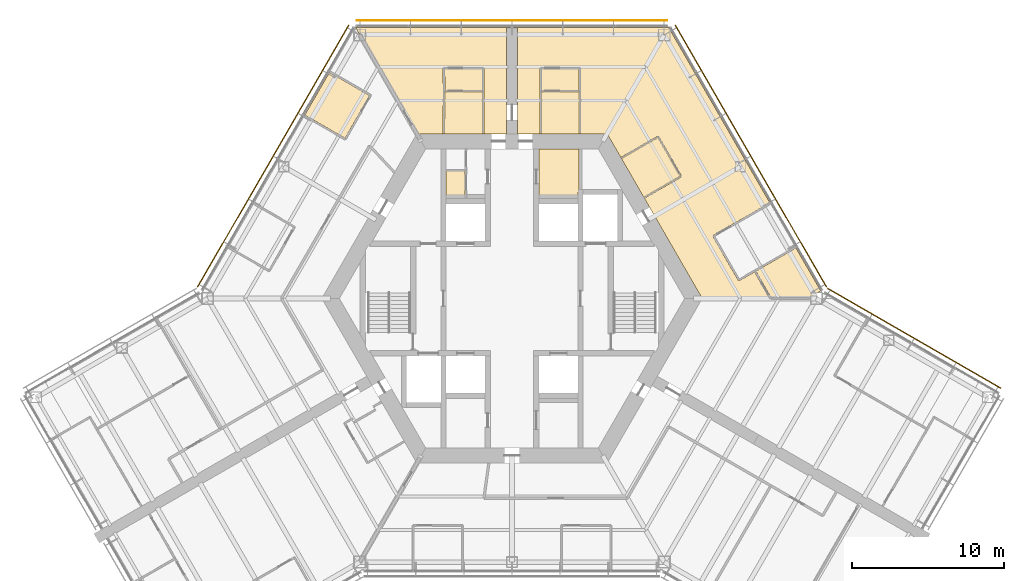
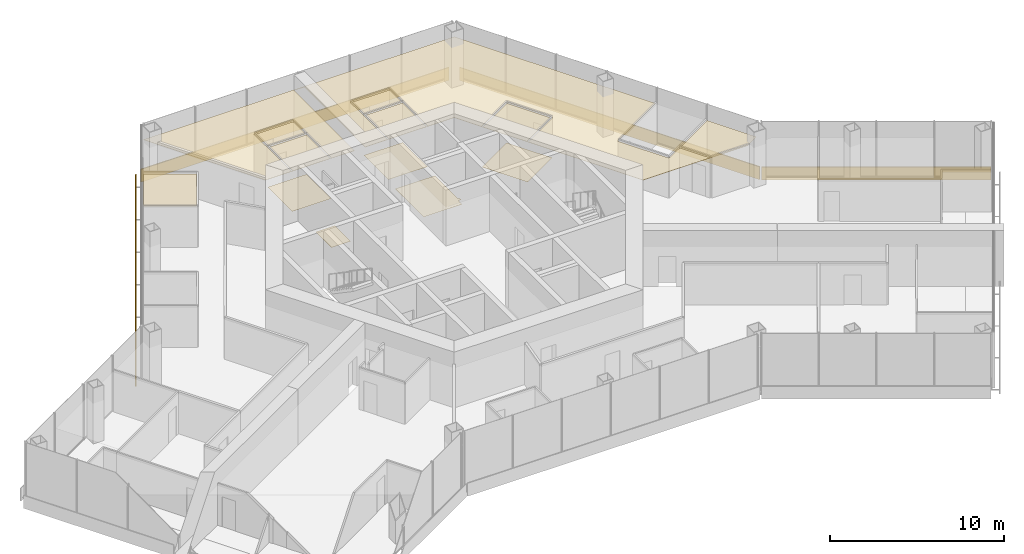
# One storey, part 18 of 18: 14 coverings, 4 shading devices.
"""IFC4 building model written with IfcOpenShell, lengths in metres."""

from ifc_helpers import new_model, si_unit, direction, frame, origin, origin_2d, place, context, subcontext, project, spatial, polyline, rectangle, outline, extrude, material, layer, layer_set, type_object, element, save


model = new_model("IFC4")

# Units and contexts
model_context = context("Model", 3, precision=1e-05, world=origin(), true_north=direction((0.0, 1.0)))
body_context = subcontext(model_context, "Body", "Model", "MODEL_VIEW")
ifc_project = project(units=[si_unit("LENGTHUNIT", "METRE"), si_unit("AREAUNIT", "SQUARE_METRE"), si_unit("VOLUMEUNIT", "CUBIC_METRE"), si_unit("PLANEANGLEUNIT", "RADIAN"), si_unit("MASSUNIT", "GRAM", prefix="KILO")], contexts=[model_context])

# Site, building, storey
site_placement = place(None, origin())
site = spatial("IfcSite", under=ifc_project, at=site_placement, CompositionType="ELEMENT")
building_placement = place(site_placement, origin())
building = spatial("IfcBuilding", under=site, at=building_placement, Name="Kasaneha Research Tower", CompositionType="ELEMENT")
storey_placement = place(building_placement, frame((0.0, 0.0, 179.89990234375)))
storey = spatial("IfcBuildingStorey", under=building, at=storey_placement, Name="L45", CompositionType="ELEMENT", Elevation=179.89990234375)

# Coverings
ifc_material_1 = material(Name="Gypsum ceiling board", Category="gypsum")
ifc_layer_1 = layer(ifc_material_1, 0.02001953125)
ifc_layer_set_1 = layer_set([ifc_layer_1], Name="Suspended ceiling 20")
covering_type_1 = type_object("IfcCoveringType", Name="Suspended ceiling 20", PredefinedType="CEILING", material=ifc_layer_set_1)
covering_1_placement = place(storey_placement, frame((0.0, 0.0, 2.800048828125)))
element("IfcCovering", 1, at=covering_1_placement, inside=storey, type_object=covering_type_1, Name="Ceiling L45-24", PredefinedType="CEILING", context=body_context, shape_type="SweptSolid", body=[
    extrude(outline(polyline([(1.89990234375, 10.824951171875), (1.89990234375, 10.844970703125), (1.949951171875, 10.844970703125), (1.95458984375, 13.570068359375), (4.410400390625, 13.570068359375), (4.4150390625, 10.844970703125), (4.465087890625, 10.844970703125), (4.465087890625, 10.824951171875), (1.89990234375, 10.824951171875)])), origin(), (0.0, 0.0, 1.0), 0.02001953125),
])
covering_2_placement = place(storey_placement, frame((0.0, 0.0, 2.800048828125)))
element("IfcCovering", 2, at=covering_2_placement, inside=storey, type_object=covering_type_1, Name="Ceiling L45-25", PredefinedType="CEILING", context=body_context, shape_type="SweptSolid", body=[
    extrude(outline(polyline([(4.410400390625, 13.669921875), (1.954345703125, 13.669921875), (1.9501953125, 15.074951171875), (4.414794921875, 15.074951171875), (4.410400390625, 13.669921875)])), origin(), (0.0, 0.0, 1.0), 0.02001953125),
])
covering_3_placement = place(storey_placement, frame((0.0, 0.0, 2.800048828125)))
element("IfcCovering", 3, at=covering_3_placement, inside=storey, type_object=covering_type_1, Name="Ceiling L45-26", PredefinedType="CEILING", context=body_context, shape_type="SweptSolid", body=[
    extrude(outline(polyline([(7.1748046875, 9.222900390625), (7.19189453125, 9.23291015625), (7.217041015625, 9.189697265625), (9.581298828125, 10.5546875), (11.03125, 8.043212890625), (8.6669921875, 6.67822265625), (8.69189453125, 6.635009765625), (8.6748046875, 6.625), (7.1748046875, 9.222900390625)])), origin(), (0.0, 0.0, 1.0), 0.02001953125),
])
covering_4_placement = place(storey_placement, frame((0.0, 0.0, 2.800048828125)))
element("IfcCovering", 4, at=covering_4_placement, inside=storey, type_object=covering_type_1, Name="Ceiling L45-28", PredefinedType="CEILING", context=body_context, shape_type="SweptSolid", body=[
    extrude(outline(polyline([(16.997802734375, 0.0), (16.986328125, 0.02001953125), (17.029541015625, 0.044921875), (16.024658203125, 1.79443359375), (18.644775390625, 3.30712890625), (18.619873046875, 3.3505859375), (18.63720703125, 3.360595703125), (20.28759765625, 0.501708984375), (19.41845703125, 0.0), (16.997802734375, 0.0)])), origin(), (0.0, 0.0, 1.0), 0.02001953125),
])
covering_5_placement = place(storey_placement, frame((0.0, 0.0, 2.800048828125)))
element("IfcCovering", 5, at=covering_5_placement, inside=storey, type_object=covering_type_1, Name="Ceiling L45-29", PredefinedType="CEILING", context=body_context, shape_type="SweptSolid", body=[
    extrude(outline(polyline([(8.692138671875, 6.634521484375), (8.717041015625, 6.591552734375), (11.12451171875, 7.981689453125), (11.099853515625, 8.024658203125), (11.10009765625, 8.02490234375), (11.099853515625, 8.025146484375), (11.142822265625, 8.0498046875), (9.642822265625, 10.64794921875), (9.60009765625, 10.623291015625), (9.599853515625, 10.623291015625), (9.599609375, 10.623046875), (9.57470703125, 10.666259765625), (7.1669921875, 9.2763671875), (7.191650390625, 9.2333984375), (7.174560546875, 9.223388671875), (6.249755859375, 10.824951171875), (4.465576171875, 10.824951171875), (4.465576171875, 10.844970703125), (4.514892578125, 10.844970703125), (4.51025390625, 13.625), (4.514892578125, 15.124755859375), (4.465087890625, 15.125), (4.465087890625, 15.12548828125), (4.465087890625, 15.175048828125), (1.89990234375, 15.175048828125), (1.89990234375, 15.125244140625), (1.899658203125, 15.125244140625), (1.899658203125, 15.125), (1.85009765625, 15.124755859375), (1.8544921875, 13.625), (1.85009765625, 10.844970703125), (1.8994140625, 10.844970703125), (1.8994140625, 10.824951171875), (0.35009765625, 10.824951171875), (0.35009765625, 11.72509765625), (0.35009765625, 12.72509765625), (0.35009765625, 17.7705078125), (0.35009765625, 17.7705078125), (0.0, 17.7705078125), (0.0, 17.820556640625), (10.28857421875, 17.820556640625), (16.94677734375, 6.28857421875), (13.222900390625, 4.138427734375), (13.24755859375, 4.095458984375), (13.247314453125, 4.09521484375), (13.247314453125, 4.094970703125), (13.20458984375, 4.0703125), (14.869873046875, 1.185546875), (14.912841796875, 1.210205078125), (14.912841796875, 1.210205078125), (14.913330078125, 1.21044921875), (14.938232421875, 1.167236328125), (15.93798828125, 1.744384765625), (16.93994140625, 0.0), (12.49951171875, 0.0), (8.675048828125, 6.62451171875), (8.692138671875, 6.634521484375)])), origin(), (0.0, 0.0, 1.0), 0.02001953125),
])
covering_6_placement = place(storey_placement, frame((0.0, 0.0, 2.800048828125)))
element("IfcCovering", 6, at=covering_6_placement, inside=storey, type_object=covering_type_1, Name="Ceiling L45-30", PredefinedType="CEILING", context=body_context, shape_type="SweptSolid", body=[
    extrude(outline(polyline([(-4.470947265625, 10.824951171875), (-4.470947265625, 10.844970703125), (-4.4208984375, 10.844970703125), (-4.41650390625, 13.570068359375), (-1.95458984375, 13.570068359375), (-1.949951171875, 10.844970703125), (-1.89990234375, 10.844970703125), (-1.89990234375, 10.824951171875), (-4.470947265625, 10.824951171875)])), origin(), (0.0, 0.0, 1.0), 0.02001953125),
])
covering_7_placement = place(storey_placement, frame((0.0, 0.0, 2.800048828125)))
element("IfcCovering", 7, at=covering_7_placement, inside=storey, type_object=covering_type_1, Name="Ceiling L45-31", PredefinedType="CEILING", context=body_context, shape_type="SweptSolid", body=[
    extrude(outline(polyline([(-1.9501953125, 15.074951171875), (-1.95458984375, 13.669921875), (-4.41650390625, 13.669921875), (-4.4208984375, 15.074951171875), (-1.9501953125, 15.074951171875)])), origin(), (0.0, 0.0, 1.0), 0.02001953125),
])
covering_8_placement = place(storey_placement, frame((0.0, 0.0, 2.800048828125)))
element("IfcCovering", 8, at=covering_8_placement, inside=storey, type_object=covering_type_1, Name="Ceiling L45-32", PredefinedType="CEILING", context=body_context, shape_type="SweptSolid", body=[
    extrude(outline(polyline([(-0.35009765625, 11.72509765625), (-0.35009765625, 10.824951171875), (-1.8994140625, 10.824951171875), (-1.8994140625, 10.844970703125), (-1.85009765625, 10.844970703125), (-1.854736328125, 13.625), (-1.85009765625, 15.124755859375), (-1.89990234375, 15.125), (-1.89990234375, 15.12548828125), (-1.89990234375, 15.175048828125), (-4.470947265625, 15.175048828125), (-4.470947265625, 15.125244140625), (-4.471435546875, 15.125244140625), (-4.471435546875, 15.125), (-4.52099609375, 15.124755859375), (-4.516357421875, 13.625), (-4.52099609375, 10.844970703125), (-4.471435546875, 10.844970703125), (-4.471435546875, 10.824951171875), (-6.249755859375, 10.824951171875), (-10.28857421875, 17.820556640625), (0.0, 17.820556640625), (0.0, 17.7705078125), (-0.35009765625, 17.7705078125), (-0.35009765625, 17.7705078125), (-0.35009765625, 12.72509765625), (-0.35009765625, 11.72509765625)])), origin(), (0.0, 0.0, 1.0), 0.02001953125),
])
covering_9_placement = place(storey_placement, frame((0.0, 0.0, 2.800048828125)))
element("IfcCovering", 9, at=covering_9_placement, inside=storey, type_object=covering_type_1, Name="Ceiling L45-36", PredefinedType="CEILING", context=body_context, shape_type="SweptSolid", body=[
    extrude(outline(polyline([(-12.000244140625, 14.85595703125), (-9.35888671875, 13.330810546875), (-10.974365234375, 10.53271484375), (-13.598388671875, 12.0478515625), (-13.623291015625, 12.004638671875), (-13.640869140625, 12.0146484375), (-12.000244140625, 14.85595703125)])), origin(), (0.0, 0.0, 1.0), 0.02001953125),
])

# Shading devices
ifc_material_2 = material(Name="Terracotta", Category="masonry")
ifc_layer_2 = layer(ifc_material_2, 0.06005859375)
ifc_layer_set_2 = layer_set([ifc_layer_2], Name="Terracotta baguette screen")
shading_device_type = type_object("IfcShadingDeviceType", Name="Terracotta baguette screen", PredefinedType="USERDEFINED", material=ifc_layer_set_2)
shading_device_1_placement = place(storey_placement, frame((26.43359375, -2.617431640625, -0.449951171875), z_axis=(0.0, 0.0, 1.0), x_axis=(-0.866025411464, 0.499999986699, 0.0)))
element("IfcShadingDevice", 10, at=shading_device_1_placement, inside=storey, type_object=shading_device_type, Name="Baguette screen L45 05", ObjectType="TERRACOTTA BAGUETTE SCREEN", PredefinedType="USERDEFINED", context=body_context, shape_type="SweptSolid", body=[
    extrude(rectangle(XDim=13.13916015625, YDim=0.06005859375, at=origin_2d()), origin(), (0.0, 0.0, 1.0), 0.89990234375),
])
shading_device_2_placement = place(storey_placement, frame((15.696044921875, 9.35498046875, -0.449951171875), z_axis=(0.0, 0.0, 1.0), x_axis=(-0.499999979232, 0.866025415775, 0.0)))
element("IfcShadingDevice", 11, at=shading_device_2_placement, inside=storey, type_object=shading_device_type, Name="Baguette screen L45 06", ObjectType="TERRACOTTA BAGUETTE SCREEN", PredefinedType="USERDEFINED", context=body_context, shape_type="SweptSolid", body=[
    extrude(rectangle(XDim=19.8857421875, YDim=0.06005859375, at=origin_2d()), origin(), (0.0, 0.0, 1.0), 0.89990234375),
])
shading_device_3_placement = place(storey_placement, frame((0.0, 18.2705078125, -0.449951171875), z_axis=(0.0, 0.0, 1.0), x_axis=(-1.0, 0.0, 0.0)))
element("IfcShadingDevice", 12, at=shading_device_3_placement, inside=storey, type_object=shading_device_type, Name="Baguette screen L45 07", ObjectType="TERRACOTTA BAGUETTE SCREEN", PredefinedType="USERDEFINED", context=body_context, shape_type="SweptSolid", body=[
    extrude(rectangle(XDim=20.392822265625, YDim=0.06005859375, at=origin_2d()), origin(), (0.0, 0.0, 1.0), 0.89990234375),
])
shading_device_4_placement = place(storey_placement, frame((-15.696044921875, 9.35498046875, -0.449951171875), z_axis=(0.0, 0.0, 1.0), x_axis=(-0.499999979232, -0.866025415775, 0.0)))
element("IfcShadingDevice", 13, at=shading_device_4_placement, inside=storey, type_object=shading_device_type, Name="Baguette screen L45 08", ObjectType="TERRACOTTA BAGUETTE SCREEN", PredefinedType="USERDEFINED", context=body_context, shape_type="SweptSolid", body=[
    extrude(rectangle(XDim=19.8857421875, YDim=0.06005859375, at=origin_2d()), origin(), (0.0, 0.0, 1.0), 0.89990234375),
])

# Coverings
ifc_material_3 = material(Name="Vinyl sheet flooring", Category="plastic")
ifc_layer_3 = layer(ifc_material_3, 0.0048828125)
ifc_layer_set_3 = layer_set([ifc_layer_3], Name="Wet room sheet flooring 5")
covering_type_2 = type_object("IfcCoveringType", Name="Wet room sheet flooring 5", PredefinedType="FLOORING", material=ifc_layer_set_3)
covering_10_placement = place(storey_placement, origin())
element("IfcCovering", 14, at=covering_10_placement, inside=storey, type_object=covering_type_2, Name="Floor finish L45-07", PredefinedType="FLOORING", context=body_context, shape_type="SweptSolid", body=[
    extrude(outline(polyline([(-4.324951171875, 6.574951171875), (-4.324951171875, 8.375), (-3.074951171875, 8.375), (-3.074951171875, 6.574951171875), (-4.324951171875, 6.574951171875)])), origin(), (0.0, 0.0, 1.0), 0.005126953125),
])
covering_11_placement = place(storey_placement, origin())
element("IfcCovering", 15, at=covering_11_placement, inside=storey, type_object=covering_type_2, Name="Floor finish L45-09", PredefinedType="FLOORING", context=body_context, shape_type="SweptSolid", body=[
    extrude(outline(polyline([(4.39892578125, 9.824951171875), (4.39892578125, 7.175048828125), (4.39892578125, 7.1748046875), (4.39892578125, 7.1748046875), (4.39892578125, 7.1748046875), (4.399169921875, 7.174560546875), (4.399169921875, 7.174560546875), (4.399169921875, 7.174560546875), (4.399169921875, 7.17431640625), (4.399169921875, 7.17431640625), (4.3994140625, 7.17431640625), (4.3994140625, 7.174072265625), (4.3994140625, 7.174072265625), (4.399658203125, 7.174072265625), (4.399658203125, 7.174072265625), (4.39990234375, 7.174072265625), (4.39990234375, 7.174072265625), (4.39990234375, 7.174072265625), (4.5, 7.174072265625), (4.5, 7.0), (4.324951171875, 7.0), (4.324951171875, 6.574951171875), (1.77490234375, 6.574951171875), (1.77490234375, 9.824951171875), (4.39892578125, 9.824951171875)])), origin(), (0.0, 0.0, 1.0), 0.005126953125),
])
covering_12_placement = place(storey_placement, origin())
element("IfcCovering", 16, at=covering_12_placement, inside=storey, type_object=covering_type_2, Name="Floor finish L45-24", PredefinedType="FLOORING", context=body_context, shape_type="SweptSolid", body=[
    extrude(outline(polyline([(4.465087890625, 13.625), (4.465087890625, 10.824951171875), (1.89990234375, 10.824951171875), (1.89990234375, 13.625), (4.465087890625, 13.625)])), origin(), (0.0, 0.0, 1.0), 0.005126953125),
])
covering_13_placement = place(storey_placement, origin())
element("IfcCovering", 17, at=covering_13_placement, inside=storey, type_object=covering_type_2, Name="Floor finish L45-26", PredefinedType="FLOORING", context=body_context, shape_type="SweptSolid", body=[
    extrude(outline(polyline([(11.099609375, 8.02490234375), (8.6748046875, 6.625), (7.1748046875, 9.222900390625), (9.599609375, 10.623046875), (11.099609375, 8.02490234375)])), origin(), (0.0, 0.0, 1.0), 0.005126953125),
])
covering_14_placement = place(storey_placement, origin())
element("IfcCovering", 18, at=covering_14_placement, inside=storey, type_object=covering_type_2, Name="Floor finish L45-30", PredefinedType="FLOORING", context=body_context, shape_type="SweptSolid", body=[
    extrude(outline(polyline([(-1.89990234375, 13.625), (-1.89990234375, 10.824951171875), (-4.470947265625, 10.824951171875), (-4.470947265625, 13.625), (-1.89990234375, 13.625)])), origin(), (0.0, 0.0, 1.0), 0.005126953125),
])

save(model, "model.ifc")
